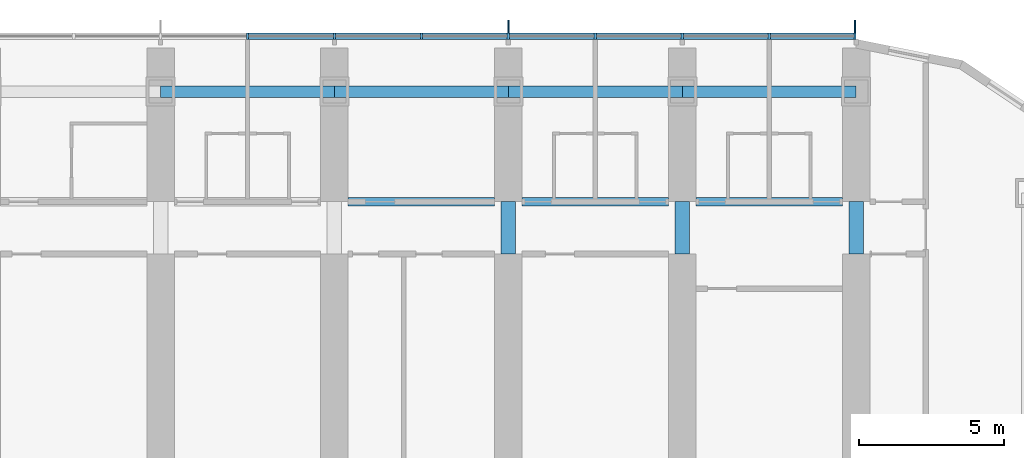
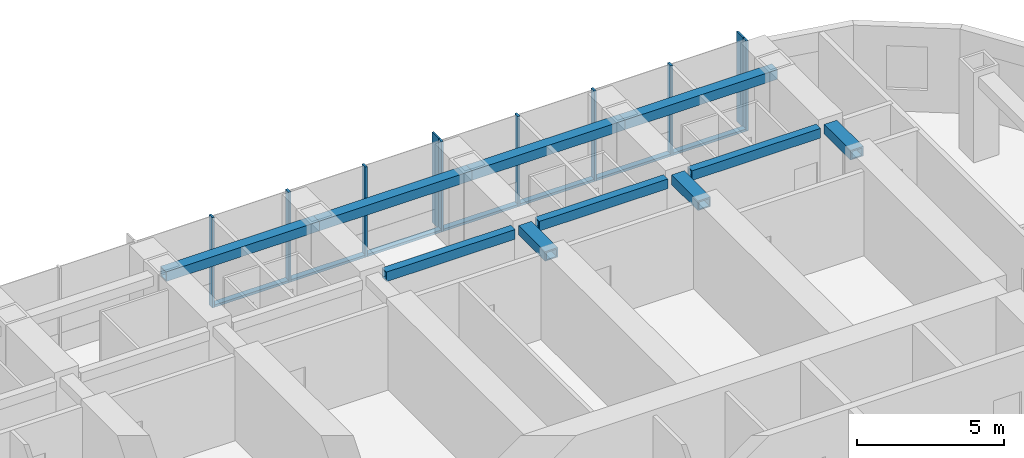
# One storey, part 5 of 21: 17 members, 10 beams, 1 element without a shape of its own.
"""IFC4 building model written with IfcOpenShell, lengths in metres."""

from ifc_helpers import new_model, si_unit, direction, frame, origin, origin_2d, place, context, subcontext, project, spatial, rectangle, hollow_rectangle, extrude, material, material_profile, profile_set, type_object, element, aggregate, save


model = new_model("IFC4")

# Units and contexts
model_context = context("Model", 3, precision=1e-05, world=origin(), true_north=direction((0.0, 1.0)))
body_context = subcontext(model_context, "Body", "Model", "MODEL_VIEW")
ifc_project = project(units=[si_unit("LENGTHUNIT", "METRE"), si_unit("AREAUNIT", "SQUARE_METRE"), si_unit("VOLUMEUNIT", "CUBIC_METRE"), si_unit("PLANEANGLEUNIT", "RADIAN"), si_unit("MASSUNIT", "GRAM", prefix="KILO")], contexts=[model_context])

# Site, building, storey
site_placement = place(None, origin())
site = spatial("IfcSite", under=ifc_project, at=site_placement, CompositionType="ELEMENT")
building_placement = place(site_placement, origin())
building = spatial("IfcBuilding", under=site, at=building_placement, Name="Orbita Commons", CompositionType="ELEMENT")
storey_placement = place(building_placement, frame((0.0, 0.0, 91.89990234375)))
storey = spatial("IfcBuildingStorey", under=building, at=storey_placement, Name="L22", CompositionType="ELEMENT", Elevation=91.89990234375)

# Curtain wall, members
ifc_material_1 = material(Name="Anodised aluminium frame, pale silver", Category="aluminium")
curtain_wall_type = type_object("IfcCurtainWallType", Name="Unitised curtain wall CW-T, vision and spandrel", PredefinedType="NOTDEFINED", material=ifc_material_1)
curtain_wall_placement = place(storey_placement, origin())
curtain_wall = element("IfcCurtainWall", 1, at=curtain_wall_placement, inside=storey, type_object=curtain_wall_type, Name="Curtain wall north L22", PredefinedType="NOTDEFINED")
ifc_material_2 = material(Name="Anodised aluminium, pale silver", Category="aluminium")
ifc_material_profile_1 = material_profile(ifc_material_2, rectangle(XDim=0.080078125, YDim=0.219970703125, at=origin_2d()), Name="AL 80x220")
ifc_profile_set_1 = profile_set([ifc_material_profile_1], Name="Anodised aluminium, pale silver")
member_type_1 = type_object("IfcMemberType", Name="Curtain wall mullion 80x220", PredefinedType="MULLION", material=ifc_profile_set_1)
member_1_placement = place(storey_placement, frame((65.9599609375, 55.510009765625, -0.25), z_axis=(0.0, 0.0, 1.0), x_axis=(-1.0, 0.0, 0.0)))
member_1 = element("IfcMember", 2, at=member_1_placement, type_object=member_type_1, Name="Mullion 1 CW-L22-N", PredefinedType="MULLION", context=body_context, shape_type="SweptSolid", body=[
    extrude(rectangle(XDim=0.080078125, YDim=0.219970703125, at=origin_2d()), origin(), (0.0, 0.0, 1.0), 3.75),
])
member_2_placement = place(storey_placement, frame((63.0, 55.510009765625, -0.25), z_axis=(0.0, 0.0, 1.0), x_axis=(-1.0, 0.0, 0.0)))
member_2 = element("IfcMember", 3, at=member_2_placement, type_object=member_type_1, Name="Mullion 2 CW-L22-N", PredefinedType="MULLION", context=body_context, shape_type="SweptSolid", body=[
    extrude(rectangle(XDim=0.080078125, YDim=0.219970703125, at=origin_2d()), origin(), (0.0, 0.0, 1.0), 3.75),
])
member_3_placement = place(storey_placement, frame((60.0, 55.510009765625, -0.25), z_axis=(0.0, 0.0, 1.0), x_axis=(-1.0, 0.0, 0.0)))
member_3 = element("IfcMember", 4, at=member_3_placement, type_object=member_type_1, Name="Mullion 3 CW-L22-N", PredefinedType="MULLION", context=body_context, shape_type="SweptSolid", body=[
    extrude(rectangle(XDim=0.080078125, YDim=0.219970703125, at=origin_2d()), origin(), (0.0, 0.0, 1.0), 3.75),
])
member_4_placement = place(storey_placement, frame((57.0, 55.510009765625, -0.25), z_axis=(0.0, 0.0, 1.0), x_axis=(-1.0, 0.0, 0.0)))
member_4 = element("IfcMember", 5, at=member_4_placement, type_object=member_type_1, Name="Mullion 4 CW-L22-N", PredefinedType="MULLION", context=body_context, shape_type="SweptSolid", body=[
    extrude(rectangle(XDim=0.080078125, YDim=0.219970703125, at=origin_2d()), origin(), (0.0, 0.0, 1.0), 3.75),
])
member_5_placement = place(storey_placement, frame((54.0, 55.510009765625, -0.25), z_axis=(0.0, 0.0, 1.0), x_axis=(-1.0, 0.0, 0.0)))
member_5 = element("IfcMember", 6, at=member_5_placement, type_object=member_type_1, Name="Mullion 5 CW-L22-N", PredefinedType="MULLION", context=body_context, shape_type="SweptSolid", body=[
    extrude(rectangle(XDim=0.080078125, YDim=0.219970703125, at=origin_2d()), origin(), (0.0, 0.0, 1.0), 3.75),
])
member_6_placement = place(storey_placement, frame((51.0, 55.510009765625, -0.25), z_axis=(0.0, 0.0, 1.0), x_axis=(-1.0, 0.0, 0.0)))
member_6 = element("IfcMember", 7, at=member_6_placement, type_object=member_type_1, Name="Mullion 6 CW-L22-N", PredefinedType="MULLION", context=body_context, shape_type="SweptSolid", body=[
    extrude(rectangle(XDim=0.080078125, YDim=0.219970703125, at=origin_2d()), origin(), (0.0, 0.0, 1.0), 3.75),
])
member_7_placement = place(storey_placement, frame((48.0, 55.510009765625, -0.25), z_axis=(0.0, 0.0, 1.0), x_axis=(-1.0, 0.0, 0.0)))
member_7 = element("IfcMember", 8, at=member_7_placement, type_object=member_type_1, Name="Mullion 7 CW-L22-N", PredefinedType="MULLION", context=body_context, shape_type="SweptSolid", body=[
    extrude(rectangle(XDim=0.080078125, YDim=0.219970703125, at=origin_2d()), origin(), (0.0, 0.0, 1.0), 3.75),
])
member_8_placement = place(storey_placement, frame((45.0, 55.510009765625, -0.25), z_axis=(0.0, 0.0, 1.0), x_axis=(-1.0, 0.0, 0.0)))
member_8 = element("IfcMember", 9, at=member_8_placement, type_object=member_type_1, Name="Mullion 8 CW-L22-N", PredefinedType="MULLION", context=body_context, shape_type="SweptSolid", body=[
    extrude(rectangle(XDim=0.080078125, YDim=0.219970703125, at=origin_2d()), origin(), (0.0, 0.0, 1.0), 3.75),
])
ifc_material_3 = material(Name="Anodised aluminium, pale silver", Category="aluminium")
ifc_material_profile_2 = material_profile(ifc_material_3, rectangle(XDim=0.219970703125, YDim=0.10009765625, at=origin_2d()), Name="AL 220x100")
ifc_profile_set_2 = profile_set([ifc_material_profile_2], Name="Anodised aluminium, pale silver")
member_type_2 = type_object("IfcMemberType", Name="Curtain wall stack transom 220x100", PredefinedType="USERDEFINED", material=ifc_profile_set_2)
member_9_placement = place(storey_placement, frame((65.919921875, 55.510009765625, -0.199951171875), z_axis=(-1.0, 0.0, 0.0), x_axis=(0.0, -1.0, 0.0)))
member_9 = element("IfcMember", 10, at=member_9_placement, type_object=member_type_2, Name="Transom 1.1 CW-L22-N", ObjectType="TRANSOM", PredefinedType="USERDEFINED", context=body_context, shape_type="SweptSolid", body=[
    extrude(rectangle(XDim=0.219970703125, YDim=0.10009765625, at=origin_2d()), origin(), (0.0, 0.0, 1.0), 2.8798828125),
])
member_10_placement = place(storey_placement, frame((62.9599609375, 55.510009765625, -0.199951171875), z_axis=(-1.0, 0.0, 0.0), x_axis=(0.0, -1.0, 0.0)))
member_10 = element("IfcMember", 11, at=member_10_placement, type_object=member_type_2, Name="Transom 2.1 CW-L22-N", ObjectType="TRANSOM", PredefinedType="USERDEFINED", context=body_context, shape_type="SweptSolid", body=[
    extrude(rectangle(XDim=0.219970703125, YDim=0.10009765625, at=origin_2d()), origin(), (0.0, 0.0, 1.0), 2.919921875),
])
member_11_placement = place(storey_placement, frame((59.9599609375, 55.510009765625, -0.199951171875), z_axis=(-1.0, 0.0, 0.0), x_axis=(0.0, -1.0, 0.0)))
member_11 = element("IfcMember", 12, at=member_11_placement, type_object=member_type_2, Name="Transom 3.1 CW-L22-N", ObjectType="TRANSOM", PredefinedType="USERDEFINED", context=body_context, shape_type="SweptSolid", body=[
    extrude(rectangle(XDim=0.219970703125, YDim=0.10009765625, at=origin_2d()), origin(), (0.0, 0.0, 1.0), 2.919921875),
])
member_12_placement = place(storey_placement, frame((56.9599609375, 55.510009765625, -0.199951171875), z_axis=(-1.0, 0.0, 0.0), x_axis=(0.0, -1.0, 0.0)))
member_12 = element("IfcMember", 13, at=member_12_placement, type_object=member_type_2, Name="Transom 4.1 CW-L22-N", ObjectType="TRANSOM", PredefinedType="USERDEFINED", context=body_context, shape_type="SweptSolid", body=[
    extrude(rectangle(XDim=0.219970703125, YDim=0.10009765625, at=origin_2d()), origin(), (0.0, 0.0, 1.0), 2.919921875),
])
member_13_placement = place(storey_placement, frame((53.9599609375, 55.510009765625, -0.199951171875), z_axis=(-1.0, 0.0, 0.0), x_axis=(0.0, -1.0, 0.0)))
member_13 = element("IfcMember", 14, at=member_13_placement, type_object=member_type_2, Name="Transom 5.1 CW-L22-N", ObjectType="TRANSOM", PredefinedType="USERDEFINED", context=body_context, shape_type="SweptSolid", body=[
    extrude(rectangle(XDim=0.219970703125, YDim=0.10009765625, at=origin_2d()), origin(), (0.0, 0.0, 1.0), 2.919921875),
])
member_14_placement = place(storey_placement, frame((50.9599609375, 55.510009765625, -0.199951171875), z_axis=(-1.0, 0.0, 0.0), x_axis=(0.0, -1.0, 0.0)))
member_14 = element("IfcMember", 15, at=member_14_placement, type_object=member_type_2, Name="Transom 6.1 CW-L22-N", ObjectType="TRANSOM", PredefinedType="USERDEFINED", context=body_context, shape_type="SweptSolid", body=[
    extrude(rectangle(XDim=0.219970703125, YDim=0.10009765625, at=origin_2d()), origin(), (0.0, 0.0, 1.0), 2.919921875),
])
member_15_placement = place(storey_placement, frame((47.9599609375, 55.510009765625, -0.199951171875), z_axis=(-1.0, 0.0, 0.0), x_axis=(0.0, -1.0, 0.0)))
member_15 = element("IfcMember", 16, at=member_15_placement, type_object=member_type_2, Name="Transom 7.1 CW-L22-N", ObjectType="TRANSOM", PredefinedType="USERDEFINED", context=body_context, shape_type="SweptSolid", body=[
    extrude(rectangle(XDim=0.219970703125, YDim=0.10009765625, at=origin_2d()), origin(), (0.0, 0.0, 1.0), 2.919921875),
])

# Beams
ifc_material_4 = material(Name="Steel ASTM A572 Gr 50 welded plate", Category="steel")
ifc_material_profile_3 = material_profile(ifc_material_4, hollow_rectangle(XDim=0.300048828125, YDim=0.39990234375, WallThickness=0.0400390625, at=origin_2d()), Name="BOX 400x300x40")
ifc_profile_set_3 = profile_set([ifc_material_profile_3], Name="Steel ASTM A572 Gr 50 welded plate")
beam_type_1 = type_object("IfcBeamType", Name="Steel corridor link BOX 400x300x40", PredefinedType="BEAM", material=ifc_profile_set_3)
for number, where, z_axis, x_axis, name in (
    (17, (48.47509765625, 49.800048828125, 3.300048828125), (1.0, 0.0, 0.0), (0.0, 1.0, 0.0), "Corridor beam NB 9-10 L22"),
    (18, (54.47509765625, 49.800048828125, 3.300048828125), (1.0, 0.0, 0.0), (0.0, 1.0, 0.0), "Corridor beam NB 10-11 L22"),
    (19, (60.47509765625, 49.800048828125, 3.300048828125), (1.0, 0.0, 0.0), (0.0, 1.0, 0.0), "Corridor beam NB 11-12 L22"),
):
    element("IfcBeam", number, at=place(storey_placement, frame(where, z_axis=z_axis, x_axis=x_axis)), inside=storey, type_object=beam_type_1, Name=name, PredefinedType="BEAM", context=body_context, shape_type="SweptSolid", body=[
        extrude(hollow_rectangle(XDim=0.300048828125, YDim=0.39990234375, WallThickness=0.0400390625, at=origin_2d()), origin(), (0.0, 0.0, 1.0), 5.0498046875),
    ])
ifc_material_5 = material(Name="Steel ASTM A572 Gr 50 welded plate", Category="steel")
ifc_material_profile_4 = material_profile(ifc_material_5, hollow_rectangle(XDim=0.5, YDim=0.39990234375, WallThickness=0.050048828125, at=origin_2d()), Name="BOX 400x500x50")
ifc_profile_set_4 = profile_set([ifc_material_profile_4], Name="Steel ASTM A572 Gr 50 welded plate")
beam_type_2 = type_object("IfcBeamType", Name="Steel coupling link BOX 400x500x50", PredefinedType="LINTEL", material=ifc_profile_set_4)
for number, where, z_axis, x_axis, name in (
    (20, (54.0, 48.0, 3.300048828125), (0.0, 1.0, 0.0), (-1.0, 0.0, 0.0), "Coupling beam 10 north L22"),
    (21, (60.0, 48.0, 3.300048828125), (0.0, 1.0, 0.0), (-1.0, 0.0, 0.0), "Coupling beam 11 north L22"),
    (22, (66.0, 48.0, 3.300048828125), (0.0, 1.0, 0.0), (-1.0, 0.0, 0.0), "Coupling beam 12 north L22"),
):
    element("IfcBeam", number, at=place(storey_placement, frame(where, z_axis=z_axis, x_axis=x_axis)), inside=storey, type_object=beam_type_2, Name=name, PredefinedType="LINTEL", context=body_context, shape_type="SweptSolid", body=[
        extrude(hollow_rectangle(XDim=0.5, YDim=0.39990234375, WallThickness=0.050048828125, at=origin_2d()), origin(), (0.0, 0.0, 1.0), 1.800048828125),
    ])
ifc_material_6 = material(Name="Steel ASTM A572 Gr 50 welded plate", Category="steel")
ifc_material_profile_5 = material_profile(ifc_material_6, hollow_rectangle(XDim=0.39990234375, YDim=0.39990234375, WallThickness=0.0400390625, at=origin_2d()), Name="BOX 400x400x40")
ifc_profile_set_5 = profile_set([ifc_material_profile_5], Name="Steel ASTM A572 Gr 50 welded plate")
beam_type_3 = type_object("IfcBeamType", Name="Steel spandrel BOX 400x400x40", PredefinedType="SPANDREL", material=ifc_profile_set_5)
for number, where, z_axis, x_axis, name in (
    (23, (42.0, 53.60009765625, 3.300048828125), (1.0, 0.0, 0.0), (0.0, 1.0, 0.0), "Spandrel beam E 8-9 L22"),
    (24, (48.0, 53.60009765625, 3.300048828125), (1.0, 0.0, 0.0), (0.0, 1.0, 0.0), "Spandrel beam E 9-10 L22"),
    (25, (54.0, 53.60009765625, 3.300048828125), (1.0, 0.0, 0.0), (0.0, 1.0, 0.0), "Spandrel beam E 10-11 L22"),
    (26, (60.0, 53.60009765625, 3.300048828125), (1.0, 0.0, 0.0), (0.0, 1.0, 0.0), "Spandrel beam E 11-12 L22"),
):
    element("IfcBeam", number, at=place(storey_placement, frame(where, z_axis=z_axis, x_axis=x_axis)), inside=storey, type_object=beam_type_3, Name=name, PredefinedType="SPANDREL", context=body_context, shape_type="SweptSolid", body=[
        extrude(hollow_rectangle(XDim=0.39990234375, YDim=0.39990234375, WallThickness=0.0400390625, at=origin_2d()), origin(), (0.0, 0.0, 1.0), 6.0),
    ])

# Member
ifc_material_7 = material(Name="Anodised aluminium, pale silver", Category="aluminium")
ifc_material_profile_6 = material_profile(ifc_material_7, rectangle(XDim=0.06005859375, YDim=0.449951171875, at=origin_2d()), Name="FIN 60x450")
ifc_profile_set_6 = profile_set([ifc_material_profile_6], Name="Anodised aluminium, pale silver")
member_type_3 = type_object("IfcMemberType", Name="Vertical fin 60x450 pale aluminium", PredefinedType="USERDEFINED", material=ifc_profile_set_6)
member_16_placement = place(storey_placement, frame((65.9599609375, 55.844970703125, -0.25), z_axis=(0.0, 0.0, 1.0), x_axis=(-1.0, 0.0, 0.0)))
member_16 = element("IfcMember", 27, at=member_16_placement, type_object=member_type_3, Name="Fin 1 CW-L22-N", ObjectType="FIN", PredefinedType="USERDEFINED", context=body_context, shape_type="SweptSolid", body=[
    extrude(rectangle(XDim=0.06005859375, YDim=0.449951171875, at=origin_2d()), origin(), (0.0, 0.0, 1.0), 3.75),
])

member_17_placement = place(storey_placement, frame((54.0, 55.844970703125, -0.25), z_axis=(0.0, 0.0, 1.0), x_axis=(-1.0, 0.0, 0.0)))
member_17 = element("IfcMember", 28, at=member_17_placement, type_object=member_type_3, Name="Fin 5 CW-L22-N", ObjectType="FIN", PredefinedType="USERDEFINED", context=body_context, shape_type="SweptSolid", body=[
    extrude(rectangle(XDim=0.06005859375, YDim=0.449951171875, at=origin_2d()), origin(), (0.0, 0.0, 1.0), 3.75),
])

aggregate(curtain_wall, [member_1, member_16, member_2, member_3, member_4, member_5, member_17, member_6, member_7, member_8, member_9, member_10, member_11, member_12, member_13, member_14, member_15])

save(model, "model.ifc")
